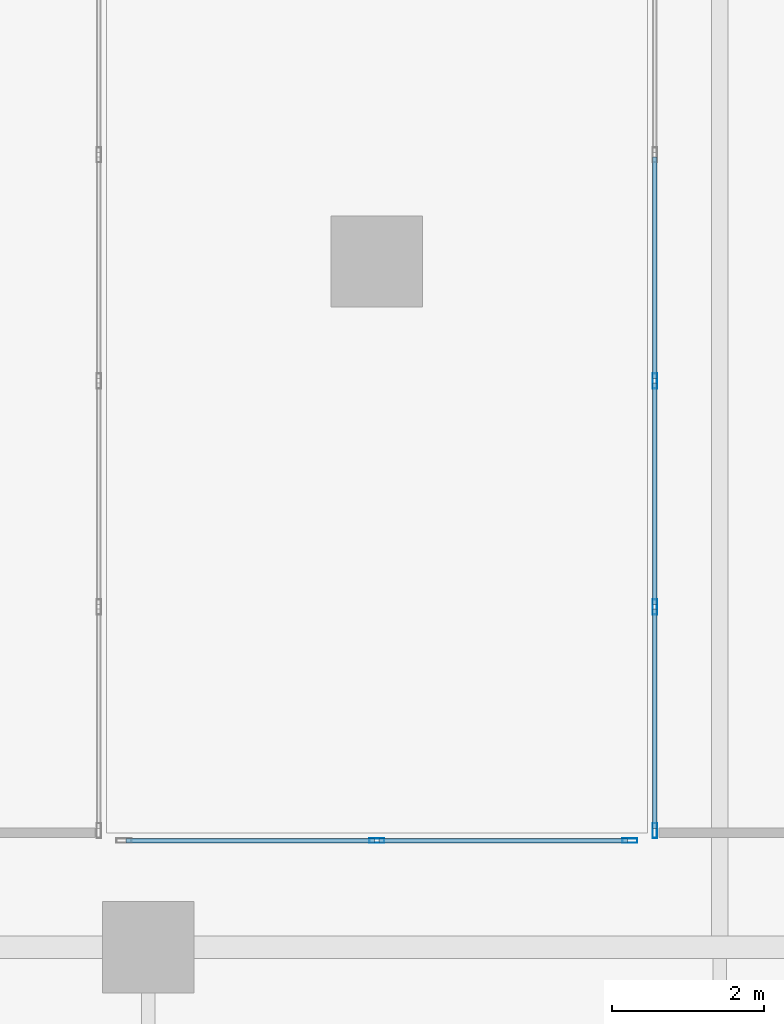
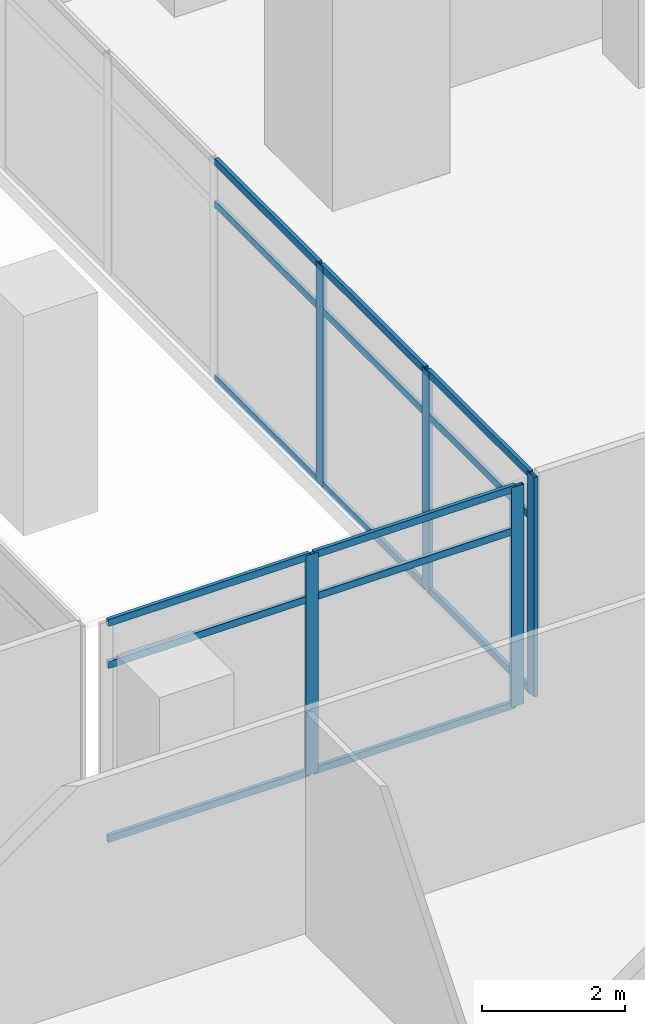
# One storey, part 24 of 40: 20 members, 2 elements without a shape of their own.
"""IFC4 building model written with IfcOpenShell, lengths in metres."""

from ifc_helpers import new_model, si_unit, direction, frame, origin, origin_2d, place, context, subcontext, project, spatial, hollow_rectangle, extrude, source, transform, mapped, material, material_profile, profile_set, type_object, element, aggregate, save


model = new_model("IFC4")

# Units and contexts
model_context = context("Model", 3, precision=1e-05, world=origin(), true_north=direction((0.0, 1.0)))
body_context = subcontext(model_context, "Body", "Model", "MODEL_VIEW")
ifc_project = project(units=[si_unit("LENGTHUNIT", "METRE"), si_unit("AREAUNIT", "SQUARE_METRE"), si_unit("VOLUMEUNIT", "CUBIC_METRE"), si_unit("PLANEANGLEUNIT", "RADIAN"), si_unit("MASSUNIT", "GRAM", prefix="KILO")], contexts=[model_context])

# Site, building, storey
site_placement = place(None, origin())
site = spatial("IfcSite", under=ifc_project, at=site_placement, CompositionType="ELEMENT")
building_placement = place(site_placement, origin())
building = spatial("IfcBuilding", under=site, at=building_placement, Name="Khomas Fold Tower", CompositionType="ELEMENT")
storey_placement = place(building_placement, frame((0.0, 0.0, 184.699951171875)))
storey = spatial("IfcBuildingStorey", under=building, at=storey_placement, Name="L40", CompositionType="ELEMENT", Elevation=184.699951171875)

# Curtain wall, members
ifc_material_1 = material(Name="Aluminium framed double glazing", Category="aluminium")
curtain_wall_type = type_object("IfcCurtainWallType", Name="Notch glazing GN-CW", PredefinedType="NOTDEFINED", material=ifc_material_1)
curtain_wall_1_placement = place(storey_placement, origin())
curtain_wall_1 = element("IfcCurtainWall", 1, at=curtain_wall_1_placement, inside=storey, type_object=curtain_wall_type, Name="Notch glazing run", PredefinedType="NOTDEFINED")
ifc_material_2 = material(Name="Aluminium", Category="aluminium")
ifc_material_profile_1 = material_profile(ifc_material_2, hollow_rectangle(XDim=0.06005859375, YDim=0.1201171875, WallThickness=0.00390625, at=origin_2d()), Name="Notch glazing transom GN-CW-T")
ifc_profile_set_1 = profile_set([ifc_material_profile_1], Name="Aluminium")
member_type_1 = type_object("IfcMemberType", Name="Notch glazing transom GN-CW-T", PredefinedType="USERDEFINED", material=ifc_profile_set_1)
shared_shape_1 = source(origin(), body_context, "Body", "SweptSolid", [
    extrude(hollow_rectangle(XDim=0.06005859375, YDim=0.1201171875, WallThickness=0.00390625, at=origin_2d()), origin(), (0.0, 0.0, 1.0), 2.876708984375),
])
member_1_placement = place(storey_placement, frame((41.14990234375, 35.936767578125, 0.030029296875), z_axis=(0.0, -1.0, 0.0), x_axis=(1.0, 0.0, 0.0)))
member_1 = element("IfcMember", 2, at=member_1_placement, type_object=member_type_1, Name="GN-CW transom 6.1", ObjectType="TRANSOM", PredefinedType="USERDEFINED", context=body_context, shape_type="MappedRepresentation", body=[
    mapped(shared_shape_1, transform((0.0, 0.0, 0.0))),
])
member_2_placement = place(storey_placement, frame((41.14990234375, 35.936767578125, 3.0), z_axis=(0.0, -1.0, 0.0), x_axis=(1.0, 0.0, 0.0)))
member_2 = element("IfcMember", 3, at=member_2_placement, type_object=member_type_1, Name="GN-CW transom 6.2", ObjectType="TRANSOM", PredefinedType="USERDEFINED", context=body_context, shape_type="MappedRepresentation", body=[
    mapped(shared_shape_1, transform((0.0, 0.0, 0.0))),
])
member_3_placement = place(storey_placement, frame((41.14990234375, 35.936767578125, 3.719970703125), z_axis=(0.0, -1.0, 0.0), x_axis=(1.0, 0.0, 0.0)))
member_3 = element("IfcMember", 4, at=member_3_placement, type_object=member_type_1, Name="GN-CW transom 6.3", ObjectType="TRANSOM", PredefinedType="USERDEFINED", context=body_context, shape_type="MappedRepresentation", body=[
    mapped(shared_shape_1, transform((0.0, 0.0, 0.0))),
])
shared_shape_2 = source(origin(), body_context, "Body", "SweptSolid", [
    extrude(hollow_rectangle(XDim=0.06005859375, YDim=0.1201171875, WallThickness=0.00390625, at=origin_2d()), origin(), (0.0, 0.0, 1.0), 2.90673828125),
])
member_4_placement = place(storey_placement, frame((41.14990234375, 41.8701171875, 0.030029296875), z_axis=(0.0, -1.0, 0.0), x_axis=(1.0, 0.0, 0.0)))
member_4 = element("IfcMember", 5, at=member_4_placement, type_object=member_type_1, Name="GN-CW transom 4.1", ObjectType="TRANSOM", PredefinedType="USERDEFINED", context=body_context, shape_type="MappedRepresentation", body=[
    mapped(shared_shape_2, transform((0.0, 0.0, 0.0))),
])
member_5_placement = place(storey_placement, frame((41.14990234375, 41.8701171875, 3.0), z_axis=(0.0, -1.0, 0.0), x_axis=(1.0, 0.0, 0.0)))
member_5 = element("IfcMember", 6, at=member_5_placement, type_object=member_type_1, Name="GN-CW transom 4.2", ObjectType="TRANSOM", PredefinedType="USERDEFINED", context=body_context, shape_type="MappedRepresentation", body=[
    mapped(shared_shape_2, transform((0.0, 0.0, 0.0))),
])
member_6_placement = place(storey_placement, frame((41.14990234375, 41.8701171875, 3.719970703125), z_axis=(0.0, -1.0, 0.0), x_axis=(1.0, 0.0, 0.0)))
member_6 = element("IfcMember", 7, at=member_6_placement, type_object=member_type_1, Name="GN-CW transom 4.3", ObjectType="TRANSOM", PredefinedType="USERDEFINED", context=body_context, shape_type="MappedRepresentation", body=[
    mapped(shared_shape_2, transform((0.0, 0.0, 0.0))),
])
member_7_placement = place(storey_placement, frame((41.14990234375, 38.9033203125, 0.030029296875), z_axis=(0.0, -1.0, 0.0), x_axis=(1.0, 0.0, 0.0)))
member_7 = element("IfcMember", 8, at=member_7_placement, type_object=member_type_1, Name="GN-CW transom 5.1", ObjectType="TRANSOM", PredefinedType="USERDEFINED", context=body_context, shape_type="MappedRepresentation", body=[
    mapped(shared_shape_2, transform((0.0, 0.0, 0.0))),
])
member_8_placement = place(storey_placement, frame((41.14990234375, 38.9033203125, 3.0), z_axis=(0.0, -1.0, 0.0), x_axis=(1.0, 0.0, 0.0)))
member_8 = element("IfcMember", 9, at=member_8_placement, type_object=member_type_1, Name="GN-CW transom 5.2", ObjectType="TRANSOM", PredefinedType="USERDEFINED", context=body_context, shape_type="MappedRepresentation", body=[
    mapped(shared_shape_2, transform((0.0, 0.0, 0.0))),
])
member_9_placement = place(storey_placement, frame((41.14990234375, 38.9033203125, 3.719970703125), z_axis=(0.0, -1.0, 0.0), x_axis=(1.0, 0.0, 0.0)))
member_9 = element("IfcMember", 10, at=member_9_placement, type_object=member_type_1, Name="GN-CW transom 5.3", ObjectType="TRANSOM", PredefinedType="USERDEFINED", context=body_context, shape_type="MappedRepresentation", body=[
    mapped(shared_shape_2, transform((0.0, 0.0, 0.0))),
])
ifc_material_3 = material(Name="Aluminium", Category="aluminium")
ifc_material_profile_2 = material_profile(ifc_material_3, hollow_rectangle(XDim=0.06005859375, YDim=0.199951171875, WallThickness=0.00390625, at=origin_2d()), Name="Notch glazing mullion GN-CW-M")
ifc_profile_set_2 = profile_set([ifc_material_profile_2], Name="Aluminium")
member_type_2 = type_object("IfcMemberType", Name="Notch glazing mullion GN-CW-M", PredefinedType="MULLION", material=ifc_profile_set_2)
shared_shape_3 = source(origin(), body_context, "Body", "SweptSolid", [
    extrude(hollow_rectangle(XDim=0.06005859375, YDim=0.199951171875, WallThickness=0.00390625, at=origin_2d()), origin(), (0.0, 0.0, 1.0), 3.75),
])
member_10_placement = place(storey_placement, frame((41.14990234375, 38.933349609375, 0.0), z_axis=(0.0, 0.0, 1.0), x_axis=(1.0, 0.0, 0.0)))
member_10 = element("IfcMember", 11, at=member_10_placement, type_object=member_type_2, Name="GN-CW mullion 5", PredefinedType="MULLION", context=body_context, shape_type="MappedRepresentation", body=[
    mapped(shared_shape_3, transform((0.0, 0.0, 0.0))),
])
member_11_placement = place(storey_placement, frame((41.14990234375, 35.966552734375, 0.0), z_axis=(0.0, 0.0, 1.0), x_axis=(1.0, 0.0, 0.0)))
member_11 = element("IfcMember", 12, at=member_11_placement, type_object=member_type_2, Name="GN-CW mullion 6", PredefinedType="MULLION", context=body_context, shape_type="MappedRepresentation", body=[
    mapped(shared_shape_3, transform((0.0, 0.0, 0.0))),
])
member_12_placement = place(storey_placement, frame((41.14990234375, 33.030029296875, 0.0), z_axis=(0.0, 0.0, 1.0), x_axis=(1.0, 0.0, 0.0)))
member_12 = element("IfcMember", 13, at=member_12_placement, type_object=member_type_2, Name="GN-CW mullion 7", PredefinedType="MULLION", context=body_context, shape_type="MappedRepresentation", body=[
    mapped(shared_shape_3, transform((0.0, 0.0, 0.0))),
])
aggregate(curtain_wall_1, [member_10, member_11, member_12, member_4, member_5, member_6, member_7, member_8, member_9, member_1, member_2, member_3])

curtain_wall_2_placement = place(storey_placement, origin())
curtain_wall_2 = element("IfcCurtainWall", 14, at=curtain_wall_2_placement, inside=storey, type_object=curtain_wall_type, Name="Notch glazing run", PredefinedType="NOTDEFINED")
member_13_placement = place(storey_placement, frame((40.820068359375, 32.89990234375, 0.0), z_axis=(0.0, 0.0, 1.0), x_axis=(0.0, -1.0, 0.0)))
member_13 = element("IfcMember", 15, at=member_13_placement, type_object=member_type_2, Name="GN-CW mullion 1", PredefinedType="MULLION", context=body_context, shape_type="MappedRepresentation", body=[
    mapped(shared_shape_3, transform((0.0, 0.0, 0.0))),
])
member_14_placement = place(storey_placement, frame((37.5, 32.89990234375, 0.0), z_axis=(0.0, 0.0, 1.0), x_axis=(0.0, -1.0, 0.0)))
member_14 = element("IfcMember", 16, at=member_14_placement, type_object=member_type_2, Name="GN-CW mullion 2", PredefinedType="MULLION", context=body_context, shape_type="MappedRepresentation", body=[
    mapped(shared_shape_3, transform((0.0, 0.0, 0.0))),
])
shared_shape_4 = source(origin(), body_context, "Body", "SweptSolid", [
    extrude(hollow_rectangle(XDim=0.06005859375, YDim=0.1201171875, WallThickness=0.00390625, at=origin_2d()), origin(), (0.0, 0.0, 1.0), 3.260009765625),
])
member_15_placement = place(storey_placement, frame((40.7900390625, 32.89990234375, 0.030029296875), z_axis=(-1.0, 0.0, 0.0), x_axis=(0.0, -1.0, 0.0)))
member_15 = element("IfcMember", 17, at=member_15_placement, type_object=member_type_1, Name="GN-CW transom 1.1", ObjectType="TRANSOM", PredefinedType="USERDEFINED", context=body_context, shape_type="MappedRepresentation", body=[
    mapped(shared_shape_4, transform((0.0, 0.0, 0.0))),
])
member_16_placement = place(storey_placement, frame((40.7900390625, 32.89990234375, 3.0), z_axis=(-1.0, 0.0, 0.0), x_axis=(0.0, -1.0, 0.0)))
member_16 = element("IfcMember", 18, at=member_16_placement, type_object=member_type_1, Name="GN-CW transom 1.2", ObjectType="TRANSOM", PredefinedType="USERDEFINED", context=body_context, shape_type="MappedRepresentation", body=[
    mapped(shared_shape_4, transform((0.0, 0.0, 0.0))),
])
member_17_placement = place(storey_placement, frame((40.7900390625, 32.89990234375, 3.719970703125), z_axis=(-1.0, 0.0, 0.0), x_axis=(0.0, -1.0, 0.0)))
member_17 = element("IfcMember", 19, at=member_17_placement, type_object=member_type_1, Name="GN-CW transom 1.3", ObjectType="TRANSOM", PredefinedType="USERDEFINED", context=body_context, shape_type="MappedRepresentation", body=[
    mapped(shared_shape_4, transform((0.0, 0.0, 0.0))),
])
member_18_placement = place(storey_placement, frame((37.469970703125, 32.89990234375, 0.030029296875), z_axis=(-1.0, 0.0, 0.0), x_axis=(0.0, -1.0, 0.0)))
member_18 = element("IfcMember", 20, at=member_18_placement, type_object=member_type_1, Name="GN-CW transom 2.1", ObjectType="TRANSOM", PredefinedType="USERDEFINED", context=body_context, shape_type="MappedRepresentation", body=[
    mapped(shared_shape_4, transform((0.0, 0.0, 0.0))),
])
member_19_placement = place(storey_placement, frame((37.469970703125, 32.89990234375, 3.0), z_axis=(-1.0, 0.0, 0.0), x_axis=(0.0, -1.0, 0.0)))
member_19 = element("IfcMember", 21, at=member_19_placement, type_object=member_type_1, Name="GN-CW transom 2.2", ObjectType="TRANSOM", PredefinedType="USERDEFINED", context=body_context, shape_type="MappedRepresentation", body=[
    mapped(shared_shape_4, transform((0.0, 0.0, 0.0))),
])
member_20_placement = place(storey_placement, frame((37.469970703125, 32.89990234375, 3.719970703125), z_axis=(-1.0, 0.0, 0.0), x_axis=(0.0, -1.0, 0.0)))
member_20 = element("IfcMember", 22, at=member_20_placement, type_object=member_type_1, Name="GN-CW transom 2.3", ObjectType="TRANSOM", PredefinedType="USERDEFINED", context=body_context, shape_type="MappedRepresentation", body=[
    mapped(shared_shape_4, transform((0.0, 0.0, 0.0))),
])
aggregate(curtain_wall_2, [member_13, member_14, member_15, member_16, member_17, member_18, member_19, member_20])

save(model, "model.ifc")
